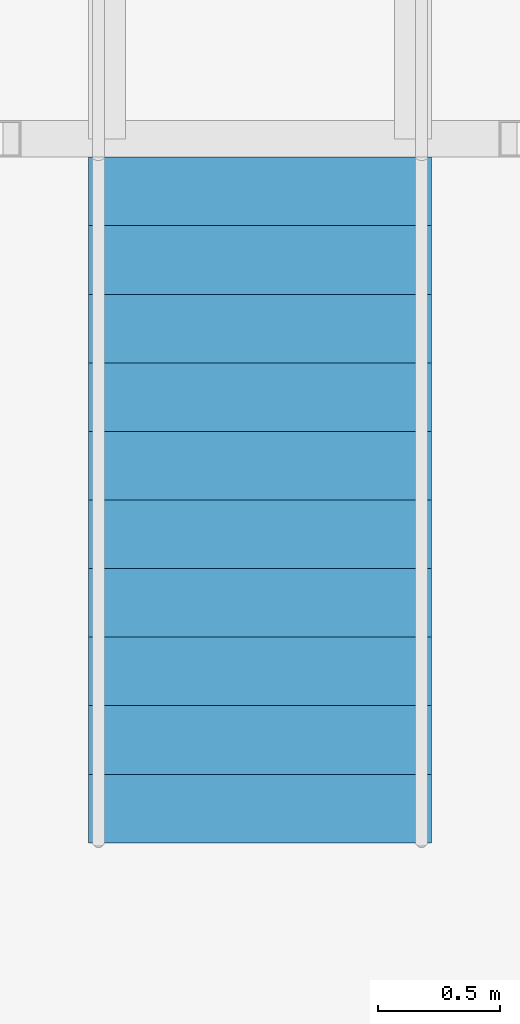
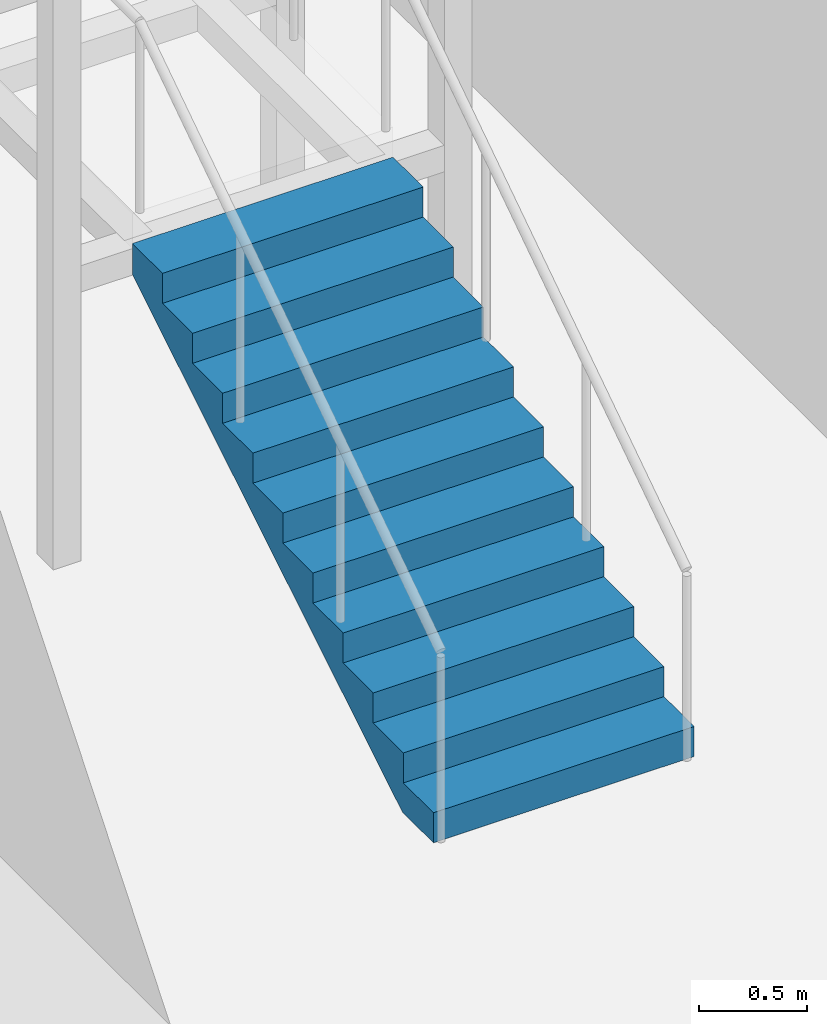
# One storey, part 19 of 25: 1 stair flight, 1 element without a shape of its own.
"""IFC4 building model written with IfcOpenShell, lengths in metres."""

from ifc_helpers import new_model, si_unit, direction, frame, origin, place, context, subcontext, project, spatial, triangles, material, type_object, element, aggregate, save


model = new_model("IFC4")

# Units and contexts
model_context = context("Model", 3, precision=1e-05, world=origin(), true_north=direction((0.0, 1.0)))
body_context = subcontext(model_context, "Body", "Model", "MODEL_VIEW")
ifc_project = project(units=[si_unit("LENGTHUNIT", "METRE"), si_unit("AREAUNIT", "SQUARE_METRE"), si_unit("VOLUMEUNIT", "CUBIC_METRE"), si_unit("PLANEANGLEUNIT", "RADIAN"), si_unit("MASSUNIT", "GRAM", prefix="KILO")], contexts=[model_context])

# Site, building, storey
site_placement = place(None, origin())
site = spatial("IfcSite", under=ifc_project, at=site_placement, CompositionType="ELEMENT")
building_placement = place(site_placement, origin())
building = spatial("IfcBuilding", under=site, at=building_placement, Name="Orbita Commons", CompositionType="ELEMENT")
storey_placement = place(building_placement, frame((0.0, 0.0, 84.39990234375)))
storey = spatial("IfcBuildingStorey", under=building, at=storey_placement, Name="L20", CompositionType="ELEMENT", Elevation=84.39990234375)

# Stair, stair flight
ifc_material_1 = material(Name="Steel ASTM A992 stringers, precast concrete C40/50 terrazzo treads", Category="concrete")
stair_type = type_object("IfcStairType", Name="Feature stair 22 risers 170 x 280 x 1400", PredefinedType="STRAIGHT_RUN_STAIR", material=ifc_material_1)
stair_placement = place(storey_placement, origin())
stair = element("IfcStair", 1, at=stair_placement, inside=storey, type_object=stair_type, Name="Neighbourhood stair L20 to L21", PredefinedType="STRAIGHT_RUN_STAIR")
ifc_material_2 = material(Name="Steel ASTM A992 stringers, precast concrete C40/50 terrazzo treads", Category="concrete")
stair_flight_type = type_object("IfcStairFlightType", Name="Feature stair flight 11 risers 170 x 1400", PredefinedType="STRAIGHT", material=ifc_material_2)
stair_flight_placement = place(storey_placement, frame((9.0, 37.800048828125, 0.0), z_axis=(0.0, 0.0, 1.0), x_axis=(0.0, 1.0, 0.0)))
stair_flight = element("IfcStairFlight", 2, at=stair_flight_placement, type_object=stair_flight_type, Name="FS flight 1", NumberOfRisers=11, NumberOfTreads=10, PredefinedType="STRAIGHT", RiserHeight=0.170454545, TreadLength=0.28, context=body_context, shape_type="Tessellation", body=[
    triangles([(0.0, 0.699951, 0.0), (0.0, 0.699951, 0.021307), (0.0, 0.583293, 0.021307), (0.0, 0.583293, 0.0), (0.0, 0.466634, 0.021307), (0.0, 0.466634, 0.0), (0.0, 0.349976, 0.021307), (0.0, 0.349976, 0.0), (0.0, 0.233317, 0.021307), (0.0, 0.233317, 0.0), (0.0, 0.116659, 0.021307), (0.0, 0.116659, 0.0), (0.0, 0.0, 0.021307), (0.0, 0.0, 0.0), (0.0, -0.116659, 0.021307), (0.0, -0.116659, 0.0), (0.0, -0.233317, 0.021307), (0.0, -0.233317, 0.0), (0.0, -0.349976, 0.021307), (0.0, -0.349976, 0.0), (0.0, -0.466634, 0.021307), (0.0, -0.466634, 0.0), (0.0, -0.583293, 0.021307), (0.0, -0.583293, 0.0), (0.0, -0.699951, 0.021307), (0.0, -0.699951, 0.0), (0.0, 0.699951, 0.042614), (0.0, 0.583293, 0.042614), (0.0, 0.466634, 0.042614), (0.0, 0.349976, 0.042614), (0.0, 0.233317, 0.042614), (0.0, 0.116659, 0.042614), (0.0, 0.0, 0.042614), (0.0, -0.116659, 0.042614), (0.0, -0.233317, 0.042614), (0.0, -0.349976, 0.042614), (0.0, -0.466634, 0.042614), (0.0, -0.583293, 0.042614), (0.0, -0.699951, 0.042614), (0.0, 0.699951, 0.06392), (0.0, 0.583293, 0.06392), (0.0, 0.466634, 0.06392), (0.0, 0.349976, 0.06392), (0.0, 0.233317, 0.06392), (0.0, 0.116659, 0.06392), (0.0, 0.0, 0.06392), (0.0, -0.116659, 0.06392), (0.0, -0.233317, 0.06392), (0.0, -0.349976, 0.06392), (0.0, -0.466634, 0.06392), (0.0, -0.583293, 0.06392), (0.0, -0.699951, 0.06392), (0.0, 0.699951, 0.085227), (0.0, 0.583293, 0.085227), (0.0, 0.466634, 0.085227), (0.0, 0.349976, 0.085227), (0.0, 0.233317, 0.085227), (0.0, 0.116659, 0.085227), (0.0, 0.0, 0.085227), (0.0, -0.116659, 0.085227), (0.0, -0.233317, 0.085227), (0.0, -0.349976, 0.085227), (0.0, -0.466634, 0.085227), (0.0, -0.583293, 0.085227), (0.0, -0.699951, 0.085227), (0.0, 0.699951, 0.106534), (0.0, 0.583293, 0.106534), (0.0, 0.466634, 0.106534), (0.0, 0.349976, 0.106534), (0.0, 0.233317, 0.106534), (0.0, 0.116659, 0.106534), (0.0, 0.0, 0.106534), (0.0, -0.116659, 0.106534), (0.0, -0.233317, 0.106534), (0.0, -0.349976, 0.106534), (0.0, -0.466634, 0.106534), (0.0, -0.583293, 0.106534), (0.0, -0.699951, 0.106534), (0.0, 0.699951, 0.127841), (0.0, 0.583293, 0.127841), (0.0, 0.466634, 0.127841), (0.0, 0.349976, 0.127841), (0.0, 0.233317, 0.127841), (0.0, 0.116659, 0.127841), (0.0, 0.0, 0.127841), (0.0, -0.116659, 0.127841), (0.0, -0.233317, 0.127841), (0.0, -0.349976, 0.127841), (0.0, -0.466634, 0.127841), (0.0, -0.583293, 0.127841), (0.0, -0.699951, 0.127841), (0.0, 0.699951, 0.149148), (0.0, 0.583293, 0.149148), (0.0, 0.466634, 0.149148), (0.0, 0.349976, 0.149148), (0.0, 0.233317, 0.149148), (0.0, 0.116659, 0.149148), (0.0, 0.0, 0.149148), (0.0, -0.116659, 0.149148), (0.0, -0.233317, 0.149148), (0.0, -0.349976, 0.149148), (0.0, -0.466634, 0.149148), (0.0, -0.583293, 0.149148), (0.0, -0.699951, 0.149148), (0.0, 0.699951, 0.170455), (0.0, 0.583293, 0.170455), (0.0, 0.466634, 0.170455), (0.0, 0.349976, 0.170455), (0.0, 0.233317, 0.170455), (0.0, 0.116659, 0.170455), (0.0, 0.0, 0.170455), (0.0, -0.116659, 0.170455), (0.0, -0.233317, 0.170455), (0.0, -0.349976, 0.170455), (0.0, -0.466634, 0.170455), (0.0, -0.583293, 0.170455), (0.0, -0.699951, 0.170455), (0.28, 0.699951, 0.170455), (0.28, 0.583293, 0.170455), (0.28, 0.466634, 0.170455), (0.28, 0.349976, 0.170455), (0.28, 0.233317, 0.170455), (0.28, 0.116659, 0.170455), (0.28, 0.0, 0.170455), (0.28, -0.116659, 0.170455), (0.28, -0.233317, 0.170455), (0.28, -0.349976, 0.170455), (0.28, -0.466634, 0.170455), (0.28, -0.583293, 0.170455), (0.28, -0.699951, 0.170455), (0.28, 0.699951, 0.340909), (0.28, 0.583293, 0.340909), (0.28, 0.466634, 0.340909), (0.28, 0.349976, 0.340909), (0.28, 0.233317, 0.340909), (0.28, 0.116659, 0.340909), (0.28, 0.0, 0.340909), (0.28, -0.116659, 0.340909), (0.28, -0.233317, 0.340909), (0.28, -0.349976, 0.340909), (0.28, -0.466634, 0.340909), (0.28, -0.583293, 0.340909), (0.28, -0.699951, 0.340909), (0.56, 0.699951, 0.340909), (0.56, 0.583293, 0.340909), (0.56, 0.466634, 0.340909), (0.56, 0.349976, 0.340909), (0.56, 0.233317, 0.340909), (0.56, 0.116659, 0.340909), (0.56, 0.0, 0.340909), (0.56, -0.116659, 0.340909), (0.56, -0.233317, 0.340909), (0.56, -0.349976, 0.340909), (0.56, -0.466634, 0.340909), (0.56, -0.583293, 0.340909), (0.56, -0.699951, 0.340909), (0.56, 0.699951, 0.511364), (0.56, 0.583293, 0.511364), (0.56, 0.466634, 0.511364), (0.56, 0.349976, 0.511364), (0.56, 0.233317, 0.511364), (0.56, 0.116659, 0.511364), (0.56, 0.0, 0.511364), (0.56, -0.116659, 0.511364), (0.56, -0.233317, 0.511364), (0.56, -0.349976, 0.511364), (0.56, -0.466634, 0.511364), (0.56, -0.583293, 0.511364), (0.56, -0.699951, 0.511364), (0.84, 0.699951, 0.511364), (0.84, 0.583293, 0.511364), (0.84, 0.466634, 0.511364), (0.84, 0.349976, 0.511364), (0.84, 0.233317, 0.511364), (0.84, 0.116659, 0.511364), (0.84, 0.0, 0.511364), (0.84, -0.116659, 0.511364), (0.84, -0.233317, 0.511364), (0.84, -0.349976, 0.511364), (0.84, -0.466634, 0.511364), (0.84, -0.583293, 0.511364), (0.84, -0.699951, 0.511364), (0.84, 0.699951, 0.681818), (0.84, 0.583293, 0.681818), (0.84, 0.466634, 0.681818), (0.84, 0.349976, 0.681818), (0.84, 0.233317, 0.681818), (0.84, 0.116659, 0.681818), (0.84, 0.0, 0.681818), (0.84, -0.116659, 0.681818), (0.84, -0.233317, 0.681818), (0.84, -0.349976, 0.681818), (0.84, -0.466634, 0.681818), (0.84, -0.583293, 0.681818), (0.84, -0.699951, 0.681818), (1.12, 0.699951, 0.681818), (1.12, 0.583293, 0.681818), (1.12, 0.466634, 0.681818), (1.12, 0.349976, 0.681818), (1.12, 0.233317, 0.681818), (1.12, 0.116659, 0.681818), (1.12, 0.0, 0.681818), (1.12, -0.116659, 0.681818), (1.12, -0.233317, 0.681818), (1.12, -0.349976, 0.681818), (1.12, -0.466634, 0.681818), (1.12, -0.583293, 0.681818), (1.12, -0.699951, 0.681818), (1.12, 0.699951, 0.852273), (1.12, 0.583293, 0.852273), (1.12, 0.466634, 0.852273), (1.12, 0.349976, 0.852273), (1.12, 0.233317, 0.852273), (1.12, 0.116659, 0.852273), (1.12, 0.0, 0.852273), (1.12, -0.116659, 0.852273), (1.12, -0.233317, 0.852273), (1.12, -0.349976, 0.852273), (1.12, -0.466634, 0.852273), (1.12, -0.583293, 0.852273), (1.12, -0.699951, 0.852273), (1.4, 0.699951, 0.852273), (1.4, 0.583293, 0.852273), (1.4, 0.466634, 0.852273), (1.4, 0.349976, 0.852273), (1.4, 0.233317, 0.852273), (1.4, 0.116659, 0.852273), (1.4, 0.0, 0.852273), (1.4, -0.116659, 0.852273), (1.4, -0.233317, 0.852273), (1.4, -0.349976, 0.852273), (1.4, -0.466634, 0.852273), (1.4, -0.583293, 0.852273), (1.4, -0.699951, 0.852273), (1.4, 0.699951, 1.022727), (1.4, 0.583293, 1.022727), (1.4, 0.466634, 1.022727), (1.4, 0.349976, 1.022727), (1.4, 0.233317, 1.022727), (1.4, 0.116659, 1.022727), (1.4, 0.0, 1.022727), (1.4, -0.116659, 1.022727), (1.4, -0.233317, 1.022727), (1.4, -0.349976, 1.022727), (1.4, -0.466634, 1.022727), (1.4, -0.583293, 1.022727), (1.4, -0.699951, 1.022727), (1.68, 0.699951, 1.022727), (1.68, 0.583293, 1.022727), (1.68, 0.466634, 1.022727), (1.68, 0.349976, 1.022727), (1.68, 0.233317, 1.022727), (1.68, 0.116659, 1.022727), (1.68, 0.0, 1.022727), (1.68, -0.116659, 1.022727), (1.68, -0.233317, 1.022727), (1.68, -0.349976, 1.022727), (1.68, -0.466634, 1.022727), (1.68, -0.583293, 1.022727), (1.68, -0.699951, 1.022727), (1.68, 0.699951, 1.193182), (1.68, 0.583293, 1.193182), (1.68, 0.466634, 1.193182), (1.68, 0.349976, 1.193182), (1.68, 0.233317, 1.193182), (1.68, 0.116659, 1.193182), (1.68, 0.0, 1.193182), (1.68, -0.116659, 1.193182), (1.68, -0.233317, 1.193182), (1.68, -0.349976, 1.193182), (1.68, -0.466634, 1.193182), (1.68, -0.583293, 1.193182), (1.68, -0.699951, 1.193182), (1.96, 0.699951, 1.193182), (1.96, 0.583293, 1.193182), (1.96, 0.466634, 1.193182), (1.96, 0.349976, 1.193182), (1.96, 0.233317, 1.193182), (1.96, 0.116659, 1.193182), (1.96, 0.0, 1.193182), (1.96, -0.116659, 1.193182), (1.96, -0.233317, 1.193182), (1.96, -0.349976, 1.193182), (1.96, -0.466634, 1.193182), (1.96, -0.583293, 1.193182), (1.96, -0.699951, 1.193182), (1.96, 0.699951, 1.363636), (1.96, 0.583293, 1.363636), (1.96, 0.466634, 1.363636), (1.96, 0.349976, 1.363636), (1.96, 0.233317, 1.363636), (1.96, 0.116659, 1.363636), (1.96, 0.0, 1.363636), (1.96, -0.116659, 1.363636), (1.96, -0.233317, 1.363636), (1.96, -0.349976, 1.363636), (1.96, -0.466634, 1.363636), (1.96, -0.583293, 1.363636), (1.96, -0.699951, 1.363636), (2.24, 0.699951, 1.363636), (2.24, 0.583293, 1.363636), (2.24, 0.466634, 1.363636), (2.24, 0.349976, 1.363636), (2.24, 0.233317, 1.363636), (2.24, 0.116659, 1.363636), (2.24, 0.0, 1.363636), (2.24, -0.116659, 1.363636), (2.24, -0.233317, 1.363636), (2.24, -0.349976, 1.363636), (2.24, -0.466634, 1.363636), (2.24, -0.583293, 1.363636), (2.24, -0.699951, 1.363636), (2.24, 0.699951, 1.534091), (2.24, 0.583293, 1.534091), (2.24, 0.466634, 1.534091), (2.24, 0.349976, 1.534091), (2.24, 0.233317, 1.534091), (2.24, 0.116659, 1.534091), (2.24, 0.0, 1.534091), (2.24, -0.116659, 1.534091), (2.24, -0.233317, 1.534091), (2.24, -0.349976, 1.534091), (2.24, -0.466634, 1.534091), (2.24, -0.583293, 1.534091), (2.24, -0.699951, 1.534091), (2.52, 0.699951, 1.534091), (2.52, 0.583293, 1.534091), (2.52, 0.466634, 1.534091), (2.52, 0.349976, 1.534091), (2.52, 0.233317, 1.534091), (2.52, 0.116659, 1.534091), (2.52, 0.0, 1.534091), (2.52, -0.116659, 1.534091), (2.52, -0.233317, 1.534091), (2.52, -0.349976, 1.534091), (2.52, -0.466634, 1.534091), (2.52, -0.583293, 1.534091), (2.52, -0.699951, 1.534091), (2.52, 0.699951, 1.704545), (2.52, 0.583293, 1.704545), (2.52, 0.466634, 1.704545), (2.52, 0.349976, 1.704545), (2.52, 0.233317, 1.704545), (2.52, 0.116659, 1.704545), (2.52, 0.0, 1.704545), (2.52, -0.116659, 1.704545), (2.52, -0.233317, 1.704545), (2.52, -0.349976, 1.704545), (2.52, -0.466634, 1.704545), (2.52, -0.583293, 1.704545), (2.52, -0.699951, 1.704545), (2.8, 0.699951, 1.704545), (2.8, 0.583293, 1.704545), (2.8, 0.466634, 1.704545), (2.8, 0.349976, 1.704545), (2.8, 0.233317, 1.704545), (2.8, 0.116659, 1.704545), (2.8, 0.0, 1.704545), (2.8, -0.116659, 1.704545), (2.8, -0.233317, 1.704545), (2.8, -0.349976, 1.704545), (2.8, -0.466634, 1.704545), (2.8, -0.583293, 1.704545), (2.8, -0.699951, 1.704545), (2.8, 0.699951, 1.682609), (2.8, 0.583293, 1.682609), (2.8, 0.466634, 1.682609), (2.8, 0.349976, 1.682609), (2.8, 0.233317, 1.682609), (2.8, 0.116659, 1.682609), (2.8, 0.0, 1.682609), (2.8, -0.116659, 1.682609), (2.8, -0.233317, 1.682609), (2.8, -0.349976, 1.682609), (2.8, -0.466634, 1.682609), (2.8, -0.583293, 1.682609), (2.8, -0.699951, 1.682609), (2.8, 0.699951, 1.660672), (2.8, 0.583293, 1.660672), (2.8, 0.466634, 1.660672), (2.8, 0.349976, 1.660672), (2.8, 0.233317, 1.660672), (2.8, 0.116659, 1.660672), (2.8, 0.0, 1.660672), (2.8, -0.116659, 1.660672), (2.8, -0.233317, 1.660672), (2.8, -0.349976, 1.660672), (2.8, -0.466634, 1.660672), (2.8, -0.583293, 1.660672), (2.8, -0.699951, 1.660672), (2.8, 0.699951, 1.638735), (2.8, 0.583293, 1.638735), (2.8, 0.466634, 1.638735), (2.8, 0.349976, 1.638735), (2.8, 0.233317, 1.638735), (2.8, 0.116659, 1.638735), (2.8, 0.0, 1.638735), (2.8, -0.116659, 1.638735), (2.8, -0.233317, 1.638735), (2.8, -0.349976, 1.638735), (2.8, -0.466634, 1.638735), (2.8, -0.583293, 1.638735), (2.8, -0.699951, 1.638735), (2.8, 0.699951, 1.616798), (2.8, 0.583293, 1.616798), (2.8, 0.466634, 1.616798), (2.8, 0.349976, 1.616798), (2.8, 0.233317, 1.616798), (2.8, 0.116659, 1.616798), (2.8, 0.0, 1.616798), (2.8, -0.116659, 1.616798), (2.8, -0.233317, 1.616798), (2.8, -0.349976, 1.616798), (2.8, -0.466634, 1.616798), (2.8, -0.583293, 1.616798), (2.8, -0.699951, 1.616798), (2.8, 0.699951, 1.594861), (2.8, 0.583293, 1.594861), (2.8, 0.466634, 1.594861), (2.8, 0.349976, 1.594861), (2.8, 0.233317, 1.594861), (2.8, 0.116659, 1.594861), (2.8, 0.0, 1.594861), (2.8, -0.116659, 1.594861), (2.8, -0.233317, 1.594861), (2.8, -0.349976, 1.594861), (2.8, -0.466634, 1.594861), (2.8, -0.583293, 1.594861), (2.8, -0.699951, 1.594861), (2.8, 0.699951, 1.572925), (2.8, 0.583293, 1.572925), (2.8, 0.466634, 1.572925), (2.8, 0.349976, 1.572925), (2.8, 0.233317, 1.572925), (2.8, 0.116659, 1.572925), (2.8, 0.0, 1.572925), (2.8, -0.116659, 1.572925), (2.8, -0.233317, 1.572925), (2.8, -0.349976, 1.572925), (2.8, -0.466634, 1.572925), (2.8, -0.583293, 1.572925), (2.8, -0.699951, 1.572925), (2.8, 0.699951, 1.550988), (2.8, 0.583293, 1.550988), (2.8, 0.466634, 1.550988), (2.8, 0.349976, 1.550988), (2.8, 0.233317, 1.550988), (2.8, 0.116659, 1.550988), (2.8, 0.0, 1.550988), (2.8, -0.116659, 1.550988), (2.8, -0.233317, 1.550988), (2.8, -0.349976, 1.550988), (2.8, -0.466634, 1.550988), (2.8, -0.583293, 1.550988), (2.8, -0.699951, 1.550988), (2.8, 0.699951, 1.529051), (2.8, 0.583293, 1.529051), (2.8, 0.466634, 1.529051), (2.8, 0.349976, 1.529051), (2.8, 0.233317, 1.529051), (2.8, 0.116659, 1.529051), (2.8, 0.0, 1.529051), (2.8, -0.116659, 1.529051), (2.8, -0.233317, 1.529051), (2.8, -0.349976, 1.529051), (2.8, -0.466634, 1.529051), (2.8, -0.583293, 1.529051), (2.8, -0.699951, 1.529051), (0.288279, 0.699951, 0.0), (0.288279, 0.583293, 0.0), (0.288279, 0.466634, 0.0), (0.288279, 0.349976, 0.0), (0.288279, 0.233317, 0.0), (0.288279, 0.116659, 0.0), (0.288279, 0.0, 0.0), (0.288279, -0.116659, 0.0), (0.288279, -0.233317, 0.0), (0.288279, -0.349976, 0.0), (0.288279, -0.466634, 0.0), (0.288279, -0.583293, 0.0), (0.288279, -0.699951, 0.0)], [[3, 2, 1], [4, 3, 1], [5, 3, 4], [6, 5, 4], [7, 5, 6], [8, 7, 6], [9, 7, 8], [10, 9, 8], [11, 9, 10], [12, 11, 10], [13, 11, 12], [14, 13, 12], [15, 13, 14], [16, 15, 14], [17, 15, 16], [18, 17, 16], [19, 17, 18], [20, 19, 18], [21, 19, 20], [22, 21, 20], [23, 21, 22], [24, 23, 22], [25, 23, 24], [26, 25, 24], [28, 27, 2], [3, 28, 2], [29, 28, 3], [5, 29, 3], [30, 29, 5], [7, 30, 5], [31, 30, 7], [9, 31, 7], [32, 31, 9], [11, 32, 9], [33, 32, 11], [13, 33, 11], [34, 33, 13], [15, 34, 13], [35, 34, 15], [17, 35, 15], [36, 35, 17], [19, 36, 17], [37, 36, 19], [21, 37, 19], [38, 37, 21], [23, 38, 21], [39, 38, 23], [25, 39, 23], [41, 40, 27], [28, 41, 27], [42, 41, 28], [29, 42, 28], [43, 42, 29], [30, 43, 29], [44, 43, 30], [31, 44, 30], [45, 44, 31], [32, 45, 31], [46, 45, 32], [33, 46, 32], [47, 46, 33], [34, 47, 33], [48, 47, 34], [35, 48, 34], [49, 48, 35], [36, 49, 35], [50, 49, 36], [37, 50, 36], [51, 50, 37], [38, 51, 37], [52, 51, 38], [39, 52, 38], [54, 53, 40], [41, 54, 40], [55, 54, 41], [42, 55, 41], [56, 55, 42], [43, 56, 42], [57, 56, 43], [44, 57, 43], [58, 57, 44], [45, 58, 44], [59, 58, 45], [46, 59, 45], [60, 59, 46], [47, 60, 46], [61, 60, 47], [48, 61, 47], [62, 61, 48], [49, 62, 48], [63, 62, 49], [50, 63, 49], [64, 63, 50], [51, 64, 50], [65, 64, 51], [52, 65, 51], [67, 66, 53], [54, 67, 53], [68, 67, 54], [55, 68, 54], [69, 68, 55], [56, 69, 55], [70, 69, 56], [57, 70, 56], [71, 70, 57], [58, 71, 57], [72, 71, 58], [59, 72, 58], [73, 72, 59], [60, 73, 59], [74, 73, 60], [61, 74, 60], [75, 74, 61], [62, 75, 61], [76, 75, 62], [63, 76, 62], [77, 76, 63], [64, 77, 63], [78, 77, 64], [65, 78, 64], [80, 79, 66], [67, 80, 66], [81, 80, 67], [68, 81, 67], [82, 81, 68], [69, 82, 68], [83, 82, 69], [70, 83, 69], [84, 83, 70], [71, 84, 70], [85, 84, 71], [72, 85, 71], [86, 85, 72], [73, 86, 72], [87, 86, 73], [74, 87, 73], [88, 87, 74], [75, 88, 74], [89, 88, 75], [76, 89, 75], [90, 89, 76], [77, 90, 76], [91, 90, 77], [78, 91, 77], [93, 92, 79], [80, 93, 79], [94, 93, 80], [81, 94, 80], [95, 94, 81], [82, 95, 81], [96, 95, 82], [83, 96, 82], [97, 96, 83], [84, 97, 83], [98, 97, 84], [85, 98, 84], [99, 98, 85], [86, 99, 85], [100, 99, 86], [87, 100, 86], [101, 100, 87], [88, 101, 87], [102, 101, 88], [89, 102, 88], [103, 102, 89], [90, 103, 89], [104, 103, 90], [91, 104, 90], [106, 105, 92], [93, 106, 92], [107, 106, 93], [94, 107, 93], [108, 107, 94], [95, 108, 94], [109, 108, 95], [96, 109, 95], [110, 109, 96], [97, 110, 96], [111, 110, 97], [98, 111, 97], [112, 111, 98], [99, 112, 98], [113, 112, 99], [100, 113, 99], [114, 113, 100], [101, 114, 100], [115, 114, 101], [102, 115, 101], [116, 115, 102], [103, 116, 102], [117, 116, 103], [104, 117, 103], [119, 118, 105], [106, 119, 105], [120, 119, 106], [107, 120, 106], [121, 120, 107], [108, 121, 107], [122, 121, 108], [109, 122, 108], [123, 122, 109], [110, 123, 109], [124, 123, 110], [111, 124, 110], [125, 124, 111], [112, 125, 111], [126, 125, 112], [113, 126, 112], [127, 126, 113], [114, 127, 113], [128, 127, 114], [115, 128, 114], [129, 128, 115], [116, 129, 115], [130, 129, 116], [117, 130, 116], [132, 131, 118], [119, 132, 118], [133, 132, 119], [120, 133, 119], [134, 133, 120], [121, 134, 120], [135, 134, 121], [122, 135, 121], [136, 135, 122], [123, 136, 122], [137, 136, 123], [124, 137, 123], [138, 137, 124], [125, 138, 124], [139, 138, 125], [126, 139, 125], [140, 139, 126], [127, 140, 126], [141, 140, 127], [128, 141, 127], [142, 141, 128], [129, 142, 128], [143, 142, 129], [130, 143, 129], [145, 144, 131], [132, 145, 131], [146, 145, 132], [133, 146, 132], [147, 146, 133], [134, 147, 133], [148, 147, 134], [135, 148, 134], [149, 148, 135], [136, 149, 135], [150, 149, 136], [137, 150, 136], [151, 150, 137], [138, 151, 137], [152, 151, 138], [139, 152, 138], [153, 152, 139], [140, 153, 139], [154, 153, 140], [141, 154, 140], [155, 154, 141], [142, 155, 141], [156, 155, 142], [143, 156, 142], [158, 157, 144], [145, 158, 144], [159, 158, 145], [146, 159, 145], [160, 159, 146], [147, 160, 146], [161, 160, 147], [148, 161, 147], [162, 161, 148], [149, 162, 148], [163, 162, 149], [150, 163, 149], [164, 163, 150], [151, 164, 150], [165, 164, 151], [152, 165, 151], [166, 165, 152], [153, 166, 152], [167, 166, 153], [154, 167, 153], [168, 167, 154], [155, 168, 154], [169, 168, 155], [156, 169, 155], [171, 170, 157], [158, 171, 157], [172, 171, 158], [159, 172, 158], [173, 172, 159], [160, 173, 159], [174, 173, 160], [161, 174, 160], [175, 174, 161], [162, 175, 161], [176, 175, 162], [163, 176, 162], [177, 176, 163], [164, 177, 163], [178, 177, 164], [165, 178, 164], [179, 178, 165], [166, 179, 165], [180, 179, 166], [167, 180, 166], [181, 180, 167], [168, 181, 167], [182, 181, 168], [169, 182, 168], [184, 183, 170], [171, 184, 170], [185, 184, 171], [172, 185, 171], [186, 185, 172], [173, 186, 172], [187, 186, 173], [174, 187, 173], [188, 187, 174], [175, 188, 174], [189, 188, 175], [176, 189, 175], [190, 189, 176], [177, 190, 176], [191, 190, 177], [178, 191, 177], [192, 191, 178], [179, 192, 178], [193, 192, 179], [180, 193, 179], [194, 193, 180], [181, 194, 180], [195, 194, 181], [182, 195, 181], [197, 196, 183], [184, 197, 183], [198, 197, 184], [185, 198, 184], [199, 198, 185], [186, 199, 185], [200, 199, 186], [187, 200, 186], [201, 200, 187], [188, 201, 187], [202, 201, 188], [189, 202, 188], [203, 202, 189], [190, 203, 189], [204, 203, 190], [191, 204, 190], [205, 204, 191], [192, 205, 191], [206, 205, 192], [193, 206, 192], [207, 206, 193], [194, 207, 193], [208, 207, 194], [195, 208, 194], [210, 209, 196], [197, 210, 196], [211, 210, 197], [198, 211, 197], [212, 211, 198], [199, 212, 198], [213, 212, 199], [200, 213, 199], [214, 213, 200], [201, 214, 200], [215, 214, 201], [202, 215, 201], [216, 215, 202], [203, 216, 202], [217, 216, 203], [204, 217, 203], [218, 217, 204], [205, 218, 204], [219, 218, 205], [206, 219, 205], [220, 219, 206], [207, 220, 206], [221, 220, 207], [208, 221, 207], [223, 222, 209], [210, 223, 209], [224, 223, 210], [211, 224, 210], [225, 224, 211], [212, 225, 211], [226, 225, 212], [213, 226, 212], [227, 226, 213], [214, 227, 213], [228, 227, 214], [215, 228, 214], [229, 228, 215], [216, 229, 215], [230, 229, 216], [217, 230, 216], [231, 230, 217], [218, 231, 217], [232, 231, 218], [219, 232, 218], [233, 232, 219], [220, 233, 219], [234, 233, 220], [221, 234, 220], [236, 235, 222], [223, 236, 222], [237, 236, 223], [224, 237, 223], [238, 237, 224], [225, 238, 224], [239, 238, 225], [226, 239, 225], [240, 239, 226], [227, 240, 226], [241, 240, 227], [228, 241, 227], [242, 241, 228], [229, 242, 228], [243, 242, 229], [230, 243, 229], [244, 243, 230], [231, 244, 230], [245, 244, 231], [232, 245, 231], [246, 245, 232], [233, 246, 232], [247, 246, 233], [234, 247, 233], [249, 248, 235], [236, 249, 235], [250, 249, 236], [237, 250, 236], [251, 250, 237], [238, 251, 237], [252, 251, 238], [239, 252, 238], [253, 252, 239], [240, 253, 239], [254, 253, 240], [241, 254, 240], [255, 254, 241], [242, 255, 241], [256, 255, 242], [243, 256, 242], [257, 256, 243], [244, 257, 243], [258, 257, 244], [245, 258, 244], [259, 258, 245], [246, 259, 245], [260, 259, 246], [247, 260, 246], [262, 261, 248], [249, 262, 248], [263, 262, 249], [250, 263, 249], [264, 263, 250], [251, 264, 250], [265, 264, 251], [252, 265, 251], [266, 265, 252], [253, 266, 252], [267, 266, 253], [254, 267, 253], [268, 267, 254], [255, 268, 254], [269, 268, 255], [256, 269, 255], [270, 269, 256], [257, 270, 256], [271, 270, 257], [258, 271, 257], [272, 271, 258], [259, 272, 258], [273, 272, 259], [260, 273, 259], [275, 274, 261], [262, 275, 261], [276, 275, 262], [263, 276, 262], [277, 276, 263], [264, 277, 263], [278, 277, 264], [265, 278, 264], [279, 278, 265], [266, 279, 265], [280, 279, 266], [267, 280, 266], [281, 280, 267], [268, 281, 267], [282, 281, 268], [269, 282, 268], [283, 282, 269], [270, 283, 269], [284, 283, 270], [271, 284, 270], [285, 284, 271], [272, 285, 271], [286, 285, 272], [273, 286, 272], [288, 287, 274], [275, 288, 274], [289, 288, 275], [276, 289, 275], [290, 289, 276], [277, 290, 276], [291, 290, 277], [278, 291, 277], [292, 291, 278], [279, 292, 278], [293, 292, 279], [280, 293, 279], [294, 293, 280], [281, 294, 280], [295, 294, 281], [282, 295, 281], [296, 295, 282], [283, 296, 282], [297, 296, 283], [284, 297, 283], [298, 297, 284], [285, 298, 284], [299, 298, 285], [286, 299, 285], [301, 300, 287], [288, 301, 287], [302, 301, 288], [289, 302, 288], [303, 302, 289], [290, 303, 289], [304, 303, 290], [291, 304, 290], [305, 304, 291], [292, 305, 291], [306, 305, 292], [293, 306, 292], [307, 306, 293], [294, 307, 293], [308, 307, 294], [295, 308, 294], [309, 308, 295], [296, 309, 295], [310, 309, 296], [297, 310, 296], [311, 310, 297], [298, 311, 297], [312, 311, 298], [299, 312, 298], [314, 313, 300], [301, 314, 300], [315, 314, 301], [302, 315, 301], [316, 315, 302], [303, 316, 302], [317, 316, 303], [304, 317, 303], [318, 317, 304], [305, 318, 304], [319, 318, 305], [306, 319, 305], [320, 319, 306], [307, 320, 306], [321, 320, 307], [308, 321, 307], [322, 321, 308], [309, 322, 308], [323, 322, 309], [310, 323, 309], [324, 323, 310], [311, 324, 310], [325, 324, 311], [312, 325, 311], [327, 326, 313], [314, 327, 313], [328, 327, 314], [315, 328, 314], [329, 328, 315], [316, 329, 315], [330, 329, 316], [317, 330, 316], [331, 330, 317], [318, 331, 317], [332, 331, 318], [319, 332, 318], [333, 332, 319], [320, 333, 319], [334, 333, 320], [321, 334, 320], [335, 334, 321], [322, 335, 321], [336, 335, 322], [323, 336, 322], [337, 336, 323], [324, 337, 323], [338, 337, 324], [325, 338, 324], [340, 339, 326], [327, 340, 326], [341, 340, 327], [328, 341, 327], [342, 341, 328], [329, 342, 328], [343, 342, 329], [330, 343, 329], [344, 343, 330], [331, 344, 330], [345, 344, 331], [332, 345, 331], [346, 345, 332], [333, 346, 332], [347, 346, 333], [334, 347, 333], [348, 347, 334], [335, 348, 334], [349, 348, 335], [336, 349, 335], [350, 349, 336], [337, 350, 336], [351, 350, 337], [338, 351, 337], [353, 352, 339], [340, 353, 339], [354, 353, 340], [341, 354, 340], [355, 354, 341], [342, 355, 341], [356, 355, 342], [343, 356, 342], [357, 356, 343], [344, 357, 343], [358, 357, 344], [345, 358, 344], [359, 358, 345], [346, 359, 345], [360, 359, 346], [347, 360, 346], [361, 360, 347], [348, 361, 347], [362, 361, 348], [349, 362, 348], [363, 362, 349], [350, 363, 349], [364, 363, 350], [351, 364, 350], [366, 365, 352], [353, 366, 352], [367, 366, 353], [354, 367, 353], [368, 367, 354], [355, 368, 354], [369, 368, 355], [356, 369, 355], [370, 369, 356], [357, 370, 356], [371, 370, 357], [358, 371, 357], [372, 371, 358], [359, 372, 358], [373, 372, 359], [360, 373, 359], [374, 373, 360], [361, 374, 360], [375, 374, 361], [362, 375, 361], [376, 375, 362], [363, 376, 362], [377, 376, 363], [364, 377, 363], [379, 378, 365], [366, 379, 365], [380, 379, 366], [367, 380, 366], [381, 380, 367], [368, 381, 367], [382, 381, 368], [369, 382, 368], [383, 382, 369], [370, 383, 369], [384, 383, 370], [371, 384, 370], [385, 384, 371], [372, 385, 371], [386, 385, 372], [373, 386, 372], [387, 386, 373], [374, 387, 373], [388, 387, 374], [375, 388, 374], [389, 388, 375], [376, 389, 375], [390, 389, 376], [377, 390, 376], [392, 391, 378], [379, 392, 378], [393, 392, 379], [380, 393, 379], [394, 393, 380], [381, 394, 380], [395, 394, 381], [382, 395, 381], [396, 395, 382], [383, 396, 382], [397, 396, 383], [384, 397, 383], [398, 397, 384], [385, 398, 384], [399, 398, 385], [386, 399, 385], [400, 399, 386], [387, 400, 386], [401, 400, 387], [388, 401, 387], [402, 401, 388], [389, 402, 388], [403, 402, 389], [390, 403, 389], [405, 404, 391], [392, 405, 391], [406, 405, 392], [393, 406, 392], [407, 406, 393], [394, 407, 393], [408, 407, 394], [395, 408, 394], [409, 408, 395], [396, 409, 395], [410, 409, 396], [397, 410, 396], [411, 410, 397], [398, 411, 397], [412, 411, 398], [399, 412, 398], [413, 412, 399], [400, 413, 399], [414, 413, 400], [401, 414, 400], [415, 414, 401], [402, 415, 401], [416, 415, 402], [403, 416, 402], [418, 417, 404], [405, 418, 404], [419, 418, 405], [406, 419, 405], [420, 419, 406], [407, 420, 406], [421, 420, 407], [408, 421, 407], [422, 421, 408], [409, 422, 408], [423, 422, 409], [410, 423, 409], [424, 423, 410], [411, 424, 410], [425, 424, 411], [412, 425, 411], [426, 425, 412], [413, 426, 412], [427, 426, 413], [414, 427, 413], [428, 427, 414], [415, 428, 414], [429, 428, 415], [416, 429, 415], [431, 430, 417], [418, 431, 417], [432, 431, 418], [419, 432, 418], [433, 432, 419], [420, 433, 419], [434, 433, 420], [421, 434, 420], [435, 434, 421], [422, 435, 421], [436, 435, 422], [423, 436, 422], [437, 436, 423], [424, 437, 423], [438, 437, 424], [425, 438, 424], [439, 438, 425], [426, 439, 425], [440, 439, 426], [427, 440, 426], [441, 440, 427], [428, 441, 427], [442, 441, 428], [429, 442, 428], [444, 443, 430], [431, 444, 430], [445, 444, 431], [432, 445, 431], [446, 445, 432], [433, 446, 432], [447, 446, 433], [434, 447, 433], [448, 447, 434], [435, 448, 434], [449, 448, 435], [436, 449, 435], [450, 449, 436], [437, 450, 436], [451, 450, 437], [438, 451, 437], [452, 451, 438], [439, 452, 438], [453, 452, 439], [440, 453, 439], [454, 453, 440], [441, 454, 440], [455, 454, 441], [442, 455, 441], [457, 456, 443], [444, 457, 443], [458, 457, 444], [445, 458, 444], [459, 458, 445], [446, 459, 445], [460, 459, 446], [447, 460, 446], [461, 460, 447], [448, 461, 447], [462, 461, 448], [449, 462, 448], [463, 462, 449], [450, 463, 449], [464, 463, 450], [451, 464, 450], [465, 464, 451], [452, 465, 451], [466, 465, 452], [453, 466, 452], [467, 466, 453], [454, 467, 453], [468, 467, 454], [455, 468, 454], [470, 469, 456], [457, 470, 456], [471, 470, 457], [458, 471, 457], [472, 471, 458], [459, 472, 458], [473, 472, 459], [460, 473, 459], [474, 473, 460], [461, 474, 460], [475, 474, 461], [462, 475, 461], [476, 475, 462], [463, 476, 462], [477, 476, 463], [464, 477, 463], [478, 477, 464], [465, 478, 464], [479, 478, 465], [466, 479, 465], [480, 479, 466], [467, 480, 466], [481, 480, 467], [468, 481, 467], [4, 1, 469], [470, 4, 469], [6, 4, 470], [471, 6, 470], [8, 6, 471], [472, 8, 471], [10, 8, 472], [473, 10, 472], [12, 10, 473], [474, 12, 473], [14, 12, 474], [475, 14, 474], [16, 14, 475], [476, 16, 475], [18, 16, 476], [477, 18, 476], [20, 18, 477], [478, 20, 477], [22, 20, 478], [479, 22, 478], [24, 22, 479], [480, 24, 479], [26, 24, 480], [481, 26, 480], [456, 469, 1], [26, 481, 468], [443, 456, 1], [26, 468, 455], [430, 443, 1], [26, 455, 442], [417, 430, 1], [26, 442, 429], [404, 417, 1], [26, 429, 416], [391, 404, 1], [26, 416, 403], [378, 391, 1], [26, 403, 390], [365, 378, 1], [26, 390, 377], [339, 352, 365], [377, 364, 351], [326, 339, 365], [377, 351, 338], [300, 313, 326], [338, 325, 312], [300, 326, 365], [377, 338, 312], [274, 287, 300], [312, 299, 286], [274, 300, 365], [377, 312, 286], [248, 261, 274], [286, 273, 260], [248, 274, 365], [377, 286, 260], [222, 235, 248], [260, 247, 234], [222, 248, 365], [377, 260, 234], [196, 209, 222], [234, 221, 208], [196, 222, 365], [377, 234, 208], [170, 183, 196], [208, 195, 182], [170, 196, 365], [377, 208, 182], [144, 157, 170], [182, 169, 156], [144, 170, 365], [377, 182, 156], [118, 131, 144], [156, 143, 130], [118, 144, 365], [377, 156, 130], [118, 365, 1], [26, 377, 130], [92, 105, 118], [130, 117, 104], [79, 92, 118], [130, 104, 91], [66, 79, 118], [130, 91, 78], [53, 66, 118], [130, 78, 65], [40, 53, 118], [130, 65, 52], [27, 40, 118], [130, 52, 39], [2, 27, 118], [130, 39, 25], [1, 2, 118], [130, 25, 26]], closed=True),
])
aggregate(stair, [stair_flight])

save(model, "model.ifc")
